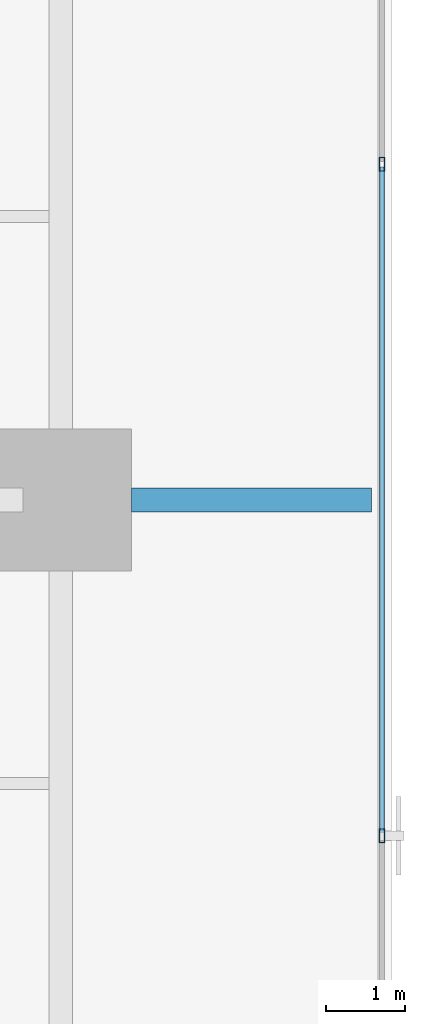
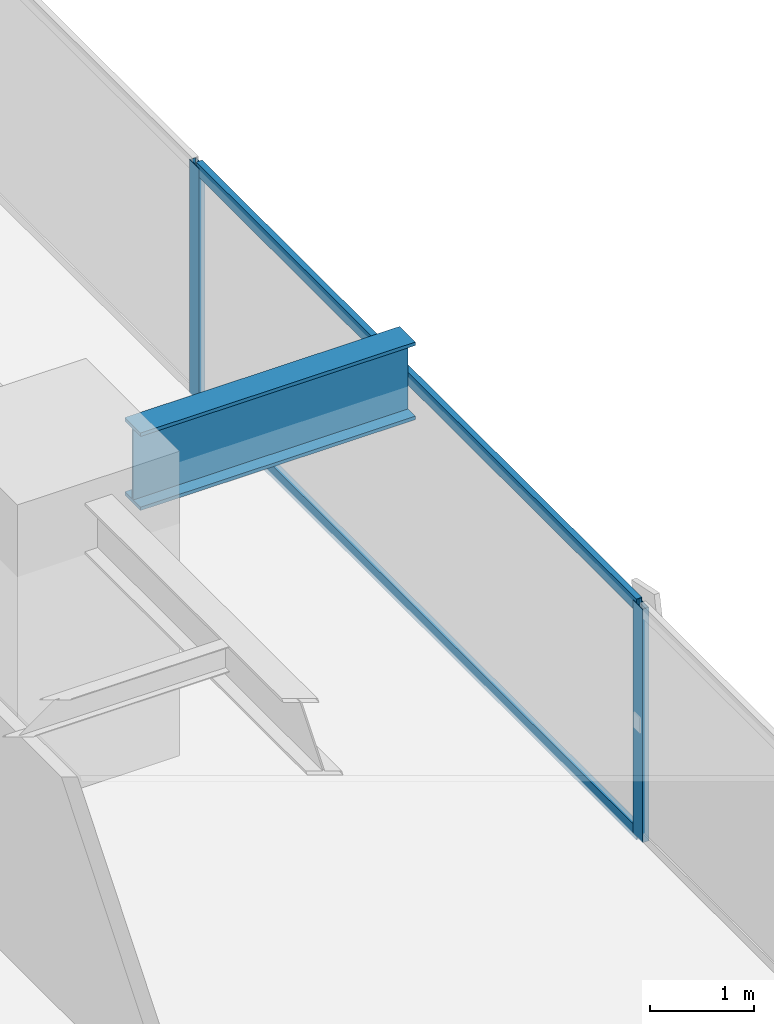
# One storey, part 15 of 34: 4 members, 1 beam, 1 element without a shape of its own.
"""IFC4 building model written with IfcOpenShell, lengths in metres."""

from ifc_helpers import new_model, si_unit, direction, frame, origin, origin_2d, place, context, subcontext, project, spatial, hollow_rectangle, i_section, extrude, source, transform, mapped, material, layer, layer_set, material_profile, profile_set, type_object, element, aggregate, save


model = new_model("IFC4")

# Units and contexts
model_context = context("Model", 3, precision=1e-05, world=origin(), true_north=direction((0.0, 1.0)))
body_context = subcontext(model_context, "Body", "Model", "MODEL_VIEW")
ifc_project = project(units=[si_unit("LENGTHUNIT", "METRE"), si_unit("AREAUNIT", "SQUARE_METRE"), si_unit("VOLUMEUNIT", "CUBIC_METRE"), si_unit("PLANEANGLEUNIT", "RADIAN"), si_unit("MASSUNIT", "GRAM", prefix="KILO")], contexts=[model_context])

# Site, building, storey
site_placement = place(None, origin())
site = spatial("IfcSite", under=ifc_project, at=site_placement, CompositionType="ELEMENT")
building_placement = place(site_placement, origin())
building = spatial("IfcBuilding", under=site, at=building_placement, Name="Sumidabori Civic Tower", CompositionType="ELEMENT")
storey_placement = place(building_placement, frame((0.0, 0.0, 34.39990234375)))
storey = spatial("IfcBuildingStorey", under=building, at=storey_placement, Name="L08", CompositionType="ELEMENT", Elevation=34.39990234375)

# Beam
ifc_material_1 = material(Name="Steel SN490", Category="steel")
ifc_material_profile_1 = material_profile(ifc_material_1, i_section(OverallWidth=0.302001953125, OverallDepth=0.909912109375, WebThickness=0.02099609375, FlangeThickness=0.0400390625, at=origin_2d()), Name="HE 900 M")
ifc_profile_set_1 = profile_set([ifc_material_profile_1], Name="Steel SN490")
beam_type = type_object("IfcBeamType", Name="BM-Z1-EDGE", PredefinedType="SPANDREL", material=ifc_profile_set_1)
shared_shape_1 = source(origin(), body_context, "Body", "SweptSolid", [
    extrude(i_section(OverallWidth=0.302001953125, OverallDepth=0.909912109375, WebThickness=0.02099609375, FlangeThickness=0.0400390625, at=origin_2d()), origin(), (0.0, 0.0, 1.0), 3.050048828125),
])
beam_placement = place(storey_placement, frame((23.699951171875, 0.0, 2.905029296875), z_axis=(1.0, 0.0, 0.0), x_axis=(0.0, 1.0, 0.0)))
element("IfcBeam", 1, at=beam_placement, inside=storey, type_object=beam_type, Name="Perimeter Overhang Beam L08 E-45", PredefinedType="SPANDREL", context=body_context, shape_type="MappedRepresentation", body=[
    mapped(shared_shape_1, transform((0.0, 0.0, 0.0), x_axis=(1.0, 0.0, 0.0), y_axis=(0.0, 1.0, 0.0), z_axis=(0.0, 0.0, 1.0), scale=1.0)),
])

# Curtain wall, members
ifc_material_2 = material(Name="Anodised Bronze Aluminium AW-6063-T6", Category="aluminium")
ifc_layer = layer(ifc_material_2, 0.179931640625, Name="Anodised Bronze Aluminium AW-6063-T6")
ifc_layer_set = layer_set([ifc_layer], Name="Anodised Bronze Aluminium AW-6063-T6")
curtain_wall_type = type_object("IfcCurtainWallType", Name="CW-SYS-2", PredefinedType="NOTDEFINED", material=ifc_layer_set)
curtain_wall_placement = place(storey_placement, origin())
curtain_wall = element("IfcCurtainWall", 2, at=curtain_wall_placement, inside=storey, type_object=curtain_wall_type, Name="Curtain Wall CW:L08:R04", PredefinedType="NOTDEFINED")
ifc_material_profile_2 = material_profile(ifc_material_2, hollow_rectangle(XDim=0.070068359375, YDim=0.179931640625, WallThickness=0.006103515625, at=origin_2d()), Name="ALU MULLION 180x70")
ifc_profile_set_2 = profile_set([ifc_material_profile_2], Name="Anodised Bronze Aluminium AW-6063-T6")
member_type_1 = type_object("IfcMemberType", Name="CW-MUL-180", PredefinedType="MULLION", material=ifc_profile_set_2)
shared_shape_2 = source(origin(), body_context, "Body", "SweptSolid", [
    extrude(hollow_rectangle(XDim=0.070068359375, YDim=0.179931640625, WallThickness=0.006103515625, at=origin_2d()), origin(), (0.0, 0.0, 1.0), 2.739990234375),
])
member_1_placement = place(storey_placement, frame((26.8798828125, -4.263916015625, 0.0), z_axis=(0.0, 0.0, 1.0), x_axis=(-1.0, 0.0, 0.0)))
member_1 = element("IfcMember", 3, at=member_1_placement, type_object=member_type_1, Name="CW-2 mullion 3", PredefinedType="MULLION", context=body_context, shape_type="MappedRepresentation", body=[
    mapped(shared_shape_2, transform((0.0, 0.0, 0.0), x_axis=(1.0, 0.0, 0.0), y_axis=(0.0, 1.0, 0.0), z_axis=(0.0, 0.0, 1.0), scale=1.0)),
])
member_2_placement = place(storey_placement, frame((26.8798828125, 4.263916015625, 0.0), z_axis=(0.0, 0.0, 1.0), x_axis=(-1.0, 0.0, 0.0)))
member_2 = element("IfcMember", 4, at=member_2_placement, type_object=member_type_1, Name="CW-2 mullion 4", PredefinedType="MULLION", context=body_context, shape_type="MappedRepresentation", body=[
    mapped(shared_shape_2, transform((0.0, 0.0, 0.0), x_axis=(1.0, 0.0, 0.0), y_axis=(0.0, 1.0, 0.0), z_axis=(0.0, 0.0, 1.0), scale=1.0)),
])
ifc_material_profile_3 = material_profile(ifc_material_2, hollow_rectangle(XDim=0.06494140625, YDim=0.14990234375, WallThickness=0.0048828125, at=origin_2d()), Name="ALU TRANSOM 150x65")
ifc_profile_set_3 = profile_set([ifc_material_profile_3], Name="Anodised Bronze Aluminium AW-6063-T6")
member_type_2 = type_object("IfcMemberType", Name="CW-TRN-150", PredefinedType="USERDEFINED", material=ifc_profile_set_3)
shared_shape_3 = source(origin(), body_context, "Body", "SweptSolid", [
    extrude(hollow_rectangle(XDim=0.06494140625, YDim=0.14990234375, WallThickness=0.0048828125, at=origin_2d()), origin(), (0.0, 0.0, 1.0), 8.4580078125),
])
member_3_placement = place(storey_placement, frame((26.8798828125, -4.22900390625, 0.03271484375), z_axis=(0.0, 1.0, 0.0), x_axis=(-1.0, 0.0, 0.0)))
member_3 = element("IfcMember", 5, at=member_3_placement, type_object=member_type_2, Name="CW-2 transom 3.1", ObjectType="TRANSOM", PredefinedType="USERDEFINED", context=body_context, shape_type="MappedRepresentation", body=[
    mapped(shared_shape_3, transform((0.0, 0.0, 0.0), x_axis=(1.0, 0.0, 0.0), y_axis=(0.0, 1.0, 0.0), z_axis=(0.0, 0.0, 1.0), scale=1.0)),
])
member_4_placement = place(storey_placement, frame((26.8798828125, -4.22900390625, 2.70751953125), z_axis=(0.0, 1.0, 0.0), x_axis=(-1.0, 0.0, 0.0)))
member_4 = element("IfcMember", 6, at=member_4_placement, type_object=member_type_2, Name="CW-2 transom 3.2", ObjectType="TRANSOM", PredefinedType="USERDEFINED", context=body_context, shape_type="MappedRepresentation", body=[
    mapped(shared_shape_3, transform((0.0, 0.0, 0.0), x_axis=(1.0, 0.0, 0.0), y_axis=(0.0, 1.0, 0.0), z_axis=(0.0, 0.0, 1.0), scale=1.0)),
])
aggregate(curtain_wall, [member_1, member_2, member_3, member_4])

save(model, "model.ifc")
